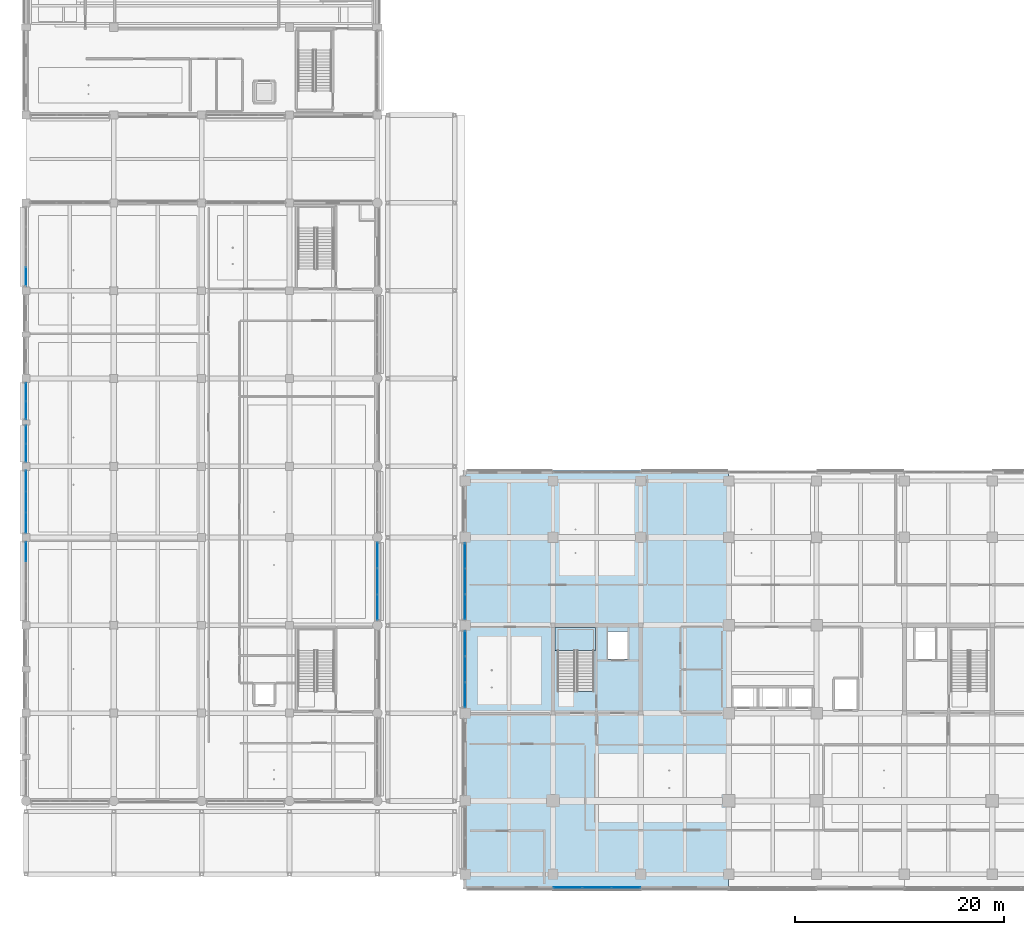
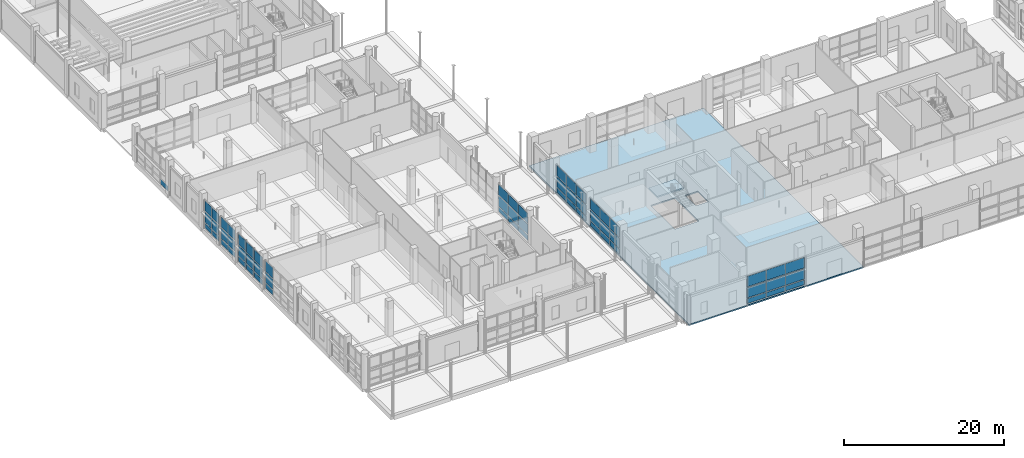
# One storey, part 46 of 140: 61 plates, 2 slabs, 10 elements without a shape of their own.
"""IFC4 building model written with IfcOpenShell, lengths in metres."""

from ifc_helpers import new_model, si_unit, direction, frame, origin, origin_2d, place, context, subcontext, project, spatial, polyline, rectangle, outline, extrude, material, layer, layer_set, type_object, element, aggregate, save


model = new_model("IFC4")

# Units and contexts
model_context = context("Model", 3, precision=1e-05, world=origin(), true_north=direction((0.0, 1.0)))
body_context = subcontext(model_context, "Body", "Model", "MODEL_VIEW")
ifc_project = project(units=[si_unit("LENGTHUNIT", "METRE"), si_unit("AREAUNIT", "SQUARE_METRE"), si_unit("VOLUMEUNIT", "CUBIC_METRE"), si_unit("PLANEANGLEUNIT", "RADIAN"), si_unit("MASSUNIT", "GRAM", prefix="KILO")], contexts=[model_context])

# Site, building, storey
site_placement = place(None, origin())
site = spatial("IfcSite", under=ifc_project, at=site_placement, CompositionType="ELEMENT")
building_placement = place(site_placement, origin())
building = spatial("IfcBuilding", under=site, at=building_placement, Name="Telukmera Botanical Conservatory", CompositionType="ELEMENT")
storey_placement = place(building_placement, origin())
storey = spatial("IfcBuildingStorey", under=building, at=storey_placement, Name="L00", CompositionType="ELEMENT", Elevation=0.0)

# Stair, slab
ifc_material_1 = material(Name="Concrete C40/50", Category="concrete")
stair_type = type_object("IfcStairType", Name="ST-ESC-5400", PredefinedType="HALF_TURN_STAIR", material=ifc_material_1)
stair_placement = place(storey_placement, origin())
stair = element("IfcStair", 1, at=stair_placement, inside=storey, type_object=stair_type, Name="L00 Protected Escape Stair ST1", PredefinedType="HALF_TURN_STAIR")
ifc_layer_1 = layer(ifc_material_1, 0.199951171875)
ifc_layer_set_1 = layer_set([ifc_layer_1], Name="Concrete C40/50")
slab_type_1 = type_object("IfcSlabType", Name="SL-LAND-200", PredefinedType="LANDING", material=ifc_layer_set_1)
slab_1_placement = place(storey_placement, frame((0.0, 0.0, 2.5)))
slab_1 = element("IfcSlab", 2, at=slab_1_placement, type_object=slab_type_1, Name="ST1 landing 1", PredefinedType="LANDING", context=body_context, shape_type="SweptSolid", body=[
    extrude(outline(polyline([(59.0048828125, 32.010009765625), (62.844970703125, 32.010009765625), (62.844970703125, 34.195068359375), (59.0048828125, 34.195068359375), (59.0048828125, 32.010009765625)])), origin(), (0.0, 0.0, 1.0), 0.199951171875),
])
aggregate(stair, [slab_1])

# Slab
ifc_layer_2 = layer(ifc_material_1, 0.199951171875)
ifc_layer_set_2 = layer_set([ifc_layer_2], Name="Concrete C40/50")
slab_type_2 = type_object("IfcSlabType", Name="Slab_FS20", PredefinedType="FLOOR", material=ifc_layer_set_2)
slab_2_placement = place(storey_placement, frame((0.0, 0.0, -0.199951171875)))
element("IfcSlab", 3, at=slab_2_placement, inside=storey, type_object=slab_type_2, Name="Tower Floor Slab L00 (WEST)", PredefinedType="FLOOR", context=body_context, shape_type="SweptSolid", body=[
    extrude(outline(polyline([(50.39990234375, 9.199951171875), (75.60009765625, 9.199951171875), (75.60009765625, 49.199951171875), (50.39990234375, 49.199951171875), (50.39990234375, 9.199951171875)]), holes=[polyline([(62.72998046875, 28.093017578125), (62.72998046875, 34.050048828125), (59.25, 34.050048828125), (59.25, 28.093017578125), (62.72998046875, 28.093017578125)]), polyline([(64.080078125, 31.179931640625), (65.919921875, 31.179931640625), (65.919921875, 33.820068359375), (64.080078125, 33.820068359375), (64.080078125, 31.179931640625)])]), origin(), (0.0, 0.0, 1.0), 0.199951171875),
])

# Curtain wall, plates
ifc_material_2 = material(Name="Anodised aluminium 6063-T6", Category="aluminium")
ifc_layer_3 = layer(ifc_material_2, 0.179931640625)
ifc_layer_set_3 = layer_set([ifc_layer_3], Name="Anodised aluminium 6063-T6")
curtain_wall_type_1 = type_object("IfcCurtainWallType", Name="Visitor Colonnade Ground Curtain Wall 2400 Mod", PredefinedType="USERDEFINED", material=ifc_layer_set_3)
curtain_wall_1_placement = place(storey_placement, origin())
curtain_wall_1 = element("IfcCurtainWall", 4, at=curtain_wall_1_placement, inside=storey, type_object=curtain_wall_type_1, Name="Unitised Curtain Wall CW07 V3:L00:E3", ObjectType="UNITISED CURTAIN WALL", PredefinedType="USERDEFINED")
ifc_material_3 = material(Name="Spectrally selective low-E double glazing", Category="glass")
ifc_layer_4 = layer(ifc_material_3, 0.0380859375)
ifc_layer_set_4 = layer_set([ifc_layer_4], Name="Spectrally selective low-E double glazing")
plate_type_1 = type_object("IfcPlateType", Name="Solar Control Fritted Spandrel Glazing Panel 38", PredefinedType="CURTAIN_PANEL", material=ifc_layer_set_4)
plate_1_placement = place(storey_placement, frame((42.0, 36.118896484375, 0.14990234375), z_axis=(0.0, 0.0, 1.0), x_axis=(0.0, 1.0, 0.0)))
plate_1 = element("IfcPlate", 5, at=plate_1_placement, type_object=plate_type_1, Name="CW07 panel 1.1", PredefinedType="CURTAIN_PANEL", context=body_context, shape_type="SweptSolid", body=[
    extrude(rectangle(XDim=2.3935546875, YDim=0.0380859375, at=origin_2d()), origin(), (0.0, 0.0, 1.0), 0.72509765625),
])
plate_2_placement = place(storey_placement, frame((42.0, 36.118896484375, 1.02490234375), z_axis=(0.0, 0.0, 1.0), x_axis=(0.0, 1.0, 0.0)))
plate_2 = element("IfcPlate", 6, at=plate_2_placement, type_object=plate_type_1, Name="CW07 panel 1.2", PredefinedType="CURTAIN_PANEL", context=body_context, shape_type="SweptSolid", body=[
    extrude(rectangle(XDim=2.3935546875, YDim=0.0380859375, at=origin_2d()), origin(), (0.0, 0.0, 1.0), 1.550048828125),
])
plate_3_placement = place(storey_placement, frame((42.0, 36.118896484375, 2.72509765625), z_axis=(0.0, 0.0, 1.0), x_axis=(0.0, 1.0, 0.0)))
plate_3 = element("IfcPlate", 7, at=plate_3_placement, type_object=plate_type_1, Name="CW07 panel 1.3", PredefinedType="CURTAIN_PANEL", context=body_context, shape_type="SweptSolid", body=[
    extrude(rectangle(XDim=2.3935546875, YDim=0.0380859375, at=origin_2d()), origin(), (0.0, 0.0, 1.0), 1.574951171875),
])
plate_4_placement = place(storey_placement, frame((42.0, 38.60009765625, 0.14990234375), z_axis=(0.0, 0.0, 1.0), x_axis=(0.0, 1.0, 0.0)))
plate_4 = element("IfcPlate", 8, at=plate_4_placement, type_object=plate_type_1, Name="CW07 panel 2.1", PredefinedType="CURTAIN_PANEL", context=body_context, shape_type="SweptSolid", body=[
    extrude(rectangle(XDim=2.4287109375, YDim=0.0380859375, at=origin_2d()), origin(), (0.0, 0.0, 1.0), 0.72509765625),
])
plate_5_placement = place(storey_placement, frame((42.0, 38.60009765625, 1.02490234375), z_axis=(0.0, 0.0, 1.0), x_axis=(0.0, 1.0, 0.0)))
plate_5 = element("IfcPlate", 9, at=plate_5_placement, type_object=plate_type_1, Name="CW07 panel 2.2", PredefinedType="CURTAIN_PANEL", context=body_context, shape_type="SweptSolid", body=[
    extrude(rectangle(XDim=2.4287109375, YDim=0.0380859375, at=origin_2d()), origin(), (0.0, 0.0, 1.0), 1.550048828125),
])
plate_6_placement = place(storey_placement, frame((42.0, 38.60009765625, 2.72509765625), z_axis=(0.0, 0.0, 1.0), x_axis=(0.0, 1.0, 0.0)))
plate_6 = element("IfcPlate", 10, at=plate_6_placement, type_object=plate_type_1, Name="CW07 panel 2.3", PredefinedType="CURTAIN_PANEL", context=body_context, shape_type="SweptSolid", body=[
    extrude(rectangle(XDim=2.4287109375, YDim=0.0380859375, at=origin_2d()), origin(), (0.0, 0.0, 1.0), 1.574951171875),
])
plate_7_placement = place(storey_placement, frame((42.0, 41.0810546875, 0.14990234375), z_axis=(0.0, 0.0, 1.0), x_axis=(0.0, 1.0, 0.0)))
plate_7 = element("IfcPlate", 11, at=plate_7_placement, type_object=plate_type_1, Name="CW07 panel 3.1", PredefinedType="CURTAIN_PANEL", context=body_context, shape_type="SweptSolid", body=[
    extrude(rectangle(XDim=2.3935546875, YDim=0.0380859375, at=origin_2d()), origin(), (0.0, 0.0, 1.0), 0.72509765625),
])
plate_8_placement = place(storey_placement, frame((42.0, 41.0810546875, 1.02490234375), z_axis=(0.0, 0.0, 1.0), x_axis=(0.0, 1.0, 0.0)))
plate_8 = element("IfcPlate", 12, at=plate_8_placement, type_object=plate_type_1, Name="CW07 panel 3.2", PredefinedType="CURTAIN_PANEL", context=body_context, shape_type="SweptSolid", body=[
    extrude(rectangle(XDim=2.3935546875, YDim=0.0380859375, at=origin_2d()), origin(), (0.0, 0.0, 1.0), 1.550048828125),
])
plate_9_placement = place(storey_placement, frame((42.0, 41.0810546875, 2.72509765625), z_axis=(0.0, 0.0, 1.0), x_axis=(0.0, 1.0, 0.0)))
plate_9 = element("IfcPlate", 13, at=plate_9_placement, type_object=plate_type_1, Name="CW07 panel 3.3", PredefinedType="CURTAIN_PANEL", context=body_context, shape_type="SweptSolid", body=[
    extrude(rectangle(XDim=2.3935546875, YDim=0.0380859375, at=origin_2d()), origin(), (0.0, 0.0, 1.0), 1.574951171875),
])
aggregate(curtain_wall_1, [plate_1, plate_2, plate_3, plate_4, plate_5, plate_6, plate_7, plate_8, plate_9])

ifc_layer_5 = layer(ifc_material_2, 0.179931640625)
ifc_layer_set_5 = layer_set([ifc_layer_5], Name="Anodised aluminium 6063-T6")
curtain_wall_type_2 = type_object("IfcCurtainWallType", Name="Tower Boulevard Podium Hall Curtain Wall", PredefinedType="USERDEFINED", material=ifc_layer_set_5)
curtain_wall_2_placement = place(storey_placement, origin())
curtain_wall_2 = element("IfcCurtainWall", 14, at=curtain_wall_2_placement, inside=storey, type_object=curtain_wall_type_2, Name="Unitised Curtain Wall CW12 V4:L00:S2", ObjectType="UNITISED CURTAIN WALL", PredefinedType="USERDEFINED")
plate_10_placement = place(storey_placement, frame((60.21875, 9.320068359375, 0.14990234375), z_axis=(0.0, 0.0, 1.0), x_axis=(1.0, 0.0, 0.0)))
plate_10 = element("IfcPlate", 15, at=plate_10_placement, type_object=plate_type_1, Name="CW12 panel 1.1", PredefinedType="CURTAIN_PANEL", context=body_context, shape_type="SweptSolid", body=[
    extrude(rectangle(XDim=2.693603515625, YDim=0.0380859375, at=origin_2d()), origin(), (0.0, 0.0, 1.0), 0.72509765625),
])
plate_11_placement = place(storey_placement, frame((60.21875, 9.320068359375, 1.02490234375), z_axis=(0.0, 0.0, 1.0), x_axis=(1.0, 0.0, 0.0)))
plate_11 = element("IfcPlate", 16, at=plate_11_placement, type_object=plate_type_1, Name="CW12 panel 1.2", PredefinedType="CURTAIN_PANEL", context=body_context, shape_type="SweptSolid", body=[
    extrude(rectangle(XDim=2.693603515625, YDim=0.0380859375, at=origin_2d()), origin(), (0.0, 0.0, 1.0), 1.550048828125),
])
plate_12_placement = place(storey_placement, frame((60.21875, 9.320068359375, 2.72509765625), z_axis=(0.0, 0.0, 1.0), x_axis=(1.0, 0.0, 0.0)))
plate_12 = element("IfcPlate", 17, at=plate_12_placement, type_object=plate_type_1, Name="CW12 panel 1.3", PredefinedType="CURTAIN_PANEL", context=body_context, shape_type="SweptSolid", body=[
    extrude(rectangle(XDim=2.693603515625, YDim=0.0380859375, at=origin_2d()), origin(), (0.0, 0.0, 1.0), 1.574951171875),
])
plate_13_placement = place(storey_placement, frame((63.0, 9.320068359375, 0.14990234375), z_axis=(0.0, 0.0, 1.0), x_axis=(1.0, 0.0, 0.0)))
plate_13 = element("IfcPlate", 18, at=plate_13_placement, type_object=plate_type_1, Name="CW12 panel 2.1", PredefinedType="CURTAIN_PANEL", context=body_context, shape_type="SweptSolid", body=[
    extrude(rectangle(XDim=2.728759765625, YDim=0.0380859375, at=origin_2d()), origin(), (0.0, 0.0, 1.0), 0.72509765625),
])
plate_14_placement = place(storey_placement, frame((63.0, 9.320068359375, 1.02490234375), z_axis=(0.0, 0.0, 1.0), x_axis=(1.0, 0.0, 0.0)))
plate_14 = element("IfcPlate", 19, at=plate_14_placement, type_object=plate_type_1, Name="CW12 panel 2.2", PredefinedType="CURTAIN_PANEL", context=body_context, shape_type="SweptSolid", body=[
    extrude(rectangle(XDim=2.728759765625, YDim=0.0380859375, at=origin_2d()), origin(), (0.0, 0.0, 1.0), 1.550048828125),
])
plate_15_placement = place(storey_placement, frame((63.0, 9.320068359375, 2.72509765625), z_axis=(0.0, 0.0, 1.0), x_axis=(1.0, 0.0, 0.0)))
plate_15 = element("IfcPlate", 20, at=plate_15_placement, type_object=plate_type_1, Name="CW12 panel 2.3", PredefinedType="CURTAIN_PANEL", context=body_context, shape_type="SweptSolid", body=[
    extrude(rectangle(XDim=2.728759765625, YDim=0.0380859375, at=origin_2d()), origin(), (0.0, 0.0, 1.0), 1.574951171875),
])
plate_16_placement = place(storey_placement, frame((65.78125, 9.320068359375, 0.14990234375), z_axis=(0.0, 0.0, 1.0), x_axis=(1.0, 0.0, 0.0)))
plate_16 = element("IfcPlate", 21, at=plate_16_placement, type_object=plate_type_1, Name="CW12 panel 3.1", PredefinedType="CURTAIN_PANEL", context=body_context, shape_type="SweptSolid", body=[
    extrude(rectangle(XDim=2.693603515625, YDim=0.0380859375, at=origin_2d()), origin(), (0.0, 0.0, 1.0), 0.72509765625),
])
plate_17_placement = place(storey_placement, frame((65.78125, 9.320068359375, 1.02490234375), z_axis=(0.0, 0.0, 1.0), x_axis=(1.0, 0.0, 0.0)))
plate_17 = element("IfcPlate", 22, at=plate_17_placement, type_object=plate_type_1, Name="CW12 panel 3.2", PredefinedType="CURTAIN_PANEL", context=body_context, shape_type="SweptSolid", body=[
    extrude(rectangle(XDim=2.693603515625, YDim=0.0380859375, at=origin_2d()), origin(), (0.0, 0.0, 1.0), 1.550048828125),
])
plate_18_placement = place(storey_placement, frame((65.78125, 9.320068359375, 2.72509765625), z_axis=(0.0, 0.0, 1.0), x_axis=(1.0, 0.0, 0.0)))
plate_18 = element("IfcPlate", 23, at=plate_18_placement, type_object=plate_type_1, Name="CW12 panel 3.3", PredefinedType="CURTAIN_PANEL", context=body_context, shape_type="SweptSolid", body=[
    extrude(rectangle(XDim=2.693603515625, YDim=0.0380859375, at=origin_2d()), origin(), (0.0, 0.0, 1.0), 1.574951171875),
])
aggregate(curtain_wall_2, [plate_10, plate_11, plate_12, plate_13, plate_14, plate_15, plate_16, plate_17, plate_18])

curtain_wall_3_placement = place(storey_placement, origin())
curtain_wall_3 = element("IfcCurtainWall", 24, at=curtain_wall_3_placement, inside=storey, type_object=curtain_wall_type_2, Name="Unitised Curtain Wall CW12 V4:L00:W3", ObjectType="UNITISED CURTAIN WALL", PredefinedType="USERDEFINED")
plate_19_placement = place(storey_placement, frame((50.39990234375, 27.752197265625, 0.14990234375), z_axis=(0.0, 0.0, 1.0), x_axis=(0.0, 1.0, 0.0)))
plate_19 = element("IfcPlate", 25, at=plate_19_placement, type_object=plate_type_1, Name="CW12 panel 1.1", PredefinedType="CURTAIN_PANEL", context=body_context, shape_type="SweptSolid", body=[
    extrude(rectangle(XDim=2.3603515625, YDim=0.0380859375, at=origin_2d()), origin(), (0.0, 0.0, 1.0), 0.72509765625),
])
plate_20_placement = place(storey_placement, frame((50.39990234375, 27.752197265625, 1.02490234375), z_axis=(0.0, 0.0, 1.0), x_axis=(0.0, 1.0, 0.0)))
plate_20 = element("IfcPlate", 26, at=plate_20_placement, type_object=plate_type_1, Name="CW12 panel 1.2", PredefinedType="CURTAIN_PANEL", context=body_context, shape_type="SweptSolid", body=[
    extrude(rectangle(XDim=2.3603515625, YDim=0.0380859375, at=origin_2d()), origin(), (0.0, 0.0, 1.0), 1.550048828125),
])
plate_21_placement = place(storey_placement, frame((50.39990234375, 27.752197265625, 2.72509765625), z_axis=(0.0, 0.0, 1.0), x_axis=(0.0, 1.0, 0.0)))
plate_21 = element("IfcPlate", 27, at=plate_21_placement, type_object=plate_type_1, Name="CW12 panel 1.3", PredefinedType="CURTAIN_PANEL", context=body_context, shape_type="SweptSolid", body=[
    extrude(rectangle(XDim=2.3603515625, YDim=0.0380859375, at=origin_2d()), origin(), (0.0, 0.0, 1.0), 1.574951171875),
])
plate_22_placement = place(storey_placement, frame((50.39990234375, 30.199951171875, 0.14990234375), z_axis=(0.0, 0.0, 1.0), x_axis=(0.0, 1.0, 0.0)))
plate_22 = element("IfcPlate", 28, at=plate_22_placement, type_object=plate_type_1, Name="CW12 panel 2.1", PredefinedType="CURTAIN_PANEL", context=body_context, shape_type="SweptSolid", body=[
    extrude(rectangle(XDim=2.395263671875, YDim=0.0380859375, at=origin_2d()), origin(), (0.0, 0.0, 1.0), 0.72509765625),
])
plate_23_placement = place(storey_placement, frame((50.39990234375, 30.199951171875, 1.02490234375), z_axis=(0.0, 0.0, 1.0), x_axis=(0.0, 1.0, 0.0)))
plate_23 = element("IfcPlate", 29, at=plate_23_placement, type_object=plate_type_1, Name="CW12 panel 2.2", PredefinedType="CURTAIN_PANEL", context=body_context, shape_type="SweptSolid", body=[
    extrude(rectangle(XDim=2.395263671875, YDim=0.0380859375, at=origin_2d()), origin(), (0.0, 0.0, 1.0), 1.550048828125),
])
plate_24_placement = place(storey_placement, frame((50.39990234375, 30.199951171875, 2.72509765625), z_axis=(0.0, 0.0, 1.0), x_axis=(0.0, 1.0, 0.0)))
plate_24 = element("IfcPlate", 30, at=plate_24_placement, type_object=plate_type_1, Name="CW12 panel 2.3", PredefinedType="CURTAIN_PANEL", context=body_context, shape_type="SweptSolid", body=[
    extrude(rectangle(XDim=2.395263671875, YDim=0.0380859375, at=origin_2d()), origin(), (0.0, 0.0, 1.0), 1.574951171875),
])
plate_25_placement = place(storey_placement, frame((50.39990234375, 32.64794921875, 0.14990234375), z_axis=(0.0, 0.0, 1.0), x_axis=(0.0, 1.0, 0.0)))
plate_25 = element("IfcPlate", 31, at=plate_25_placement, type_object=plate_type_1, Name="CW12 panel 3.1", PredefinedType="CURTAIN_PANEL", context=body_context, shape_type="SweptSolid", body=[
    extrude(rectangle(XDim=2.3603515625, YDim=0.0380859375, at=origin_2d()), origin(), (0.0, 0.0, 1.0), 0.72509765625),
])
plate_26_placement = place(storey_placement, frame((50.39990234375, 32.64794921875, 1.02490234375), z_axis=(0.0, 0.0, 1.0), x_axis=(0.0, 1.0, 0.0)))
plate_26 = element("IfcPlate", 32, at=plate_26_placement, type_object=plate_type_1, Name="CW12 panel 3.2", PredefinedType="CURTAIN_PANEL", context=body_context, shape_type="SweptSolid", body=[
    extrude(rectangle(XDim=2.3603515625, YDim=0.0380859375, at=origin_2d()), origin(), (0.0, 0.0, 1.0), 1.550048828125),
])
plate_27_placement = place(storey_placement, frame((50.39990234375, 32.64794921875, 2.72509765625), z_axis=(0.0, 0.0, 1.0), x_axis=(0.0, 1.0, 0.0)))
plate_27 = element("IfcPlate", 33, at=plate_27_placement, type_object=plate_type_1, Name="CW12 panel 3.3", PredefinedType="CURTAIN_PANEL", context=body_context, shape_type="SweptSolid", body=[
    extrude(rectangle(XDim=2.3603515625, YDim=0.0380859375, at=origin_2d()), origin(), (0.0, 0.0, 1.0), 1.574951171875),
])
aggregate(curtain_wall_3, [plate_19, plate_20, plate_21, plate_22, plate_23, plate_24, plate_25, plate_26, plate_27])

curtain_wall_4_placement = place(storey_placement, origin())
curtain_wall_4 = element("IfcCurtainWall", 34, at=curtain_wall_4_placement, inside=storey, type_object=curtain_wall_type_2, Name="Unitised Curtain Wall CW12 V4:L00:W4", ObjectType="UNITISED CURTAIN WALL", PredefinedType="USERDEFINED")
plate_28_placement = place(storey_placement, frame((50.39990234375, 36.152099609375, 0.14990234375), z_axis=(0.0, 0.0, 1.0), x_axis=(0.0, 1.0, 0.0)))
plate_28 = element("IfcPlate", 35, at=plate_28_placement, type_object=plate_type_1, Name="CW12 panel 1.1", PredefinedType="CURTAIN_PANEL", context=body_context, shape_type="SweptSolid", body=[
    extrude(rectangle(XDim=2.3603515625, YDim=0.0380859375, at=origin_2d()), origin(), (0.0, 0.0, 1.0), 0.72509765625),
])
plate_29_placement = place(storey_placement, frame((50.39990234375, 36.152099609375, 1.02490234375), z_axis=(0.0, 0.0, 1.0), x_axis=(0.0, 1.0, 0.0)))
plate_29 = element("IfcPlate", 36, at=plate_29_placement, type_object=plate_type_1, Name="CW12 panel 1.2", PredefinedType="CURTAIN_PANEL", context=body_context, shape_type="SweptSolid", body=[
    extrude(rectangle(XDim=2.3603515625, YDim=0.0380859375, at=origin_2d()), origin(), (0.0, 0.0, 1.0), 1.550048828125),
])
plate_30_placement = place(storey_placement, frame((50.39990234375, 36.152099609375, 2.72509765625), z_axis=(0.0, 0.0, 1.0), x_axis=(0.0, 1.0, 0.0)))
plate_30 = element("IfcPlate", 37, at=plate_30_placement, type_object=plate_type_1, Name="CW12 panel 1.3", PredefinedType="CURTAIN_PANEL", context=body_context, shape_type="SweptSolid", body=[
    extrude(rectangle(XDim=2.3603515625, YDim=0.0380859375, at=origin_2d()), origin(), (0.0, 0.0, 1.0), 1.574951171875),
])
plate_31_placement = place(storey_placement, frame((50.39990234375, 38.60009765625, 0.14990234375), z_axis=(0.0, 0.0, 1.0), x_axis=(0.0, 1.0, 0.0)))
plate_31 = element("IfcPlate", 38, at=plate_31_placement, type_object=plate_type_1, Name="CW12 panel 2.1", PredefinedType="CURTAIN_PANEL", context=body_context, shape_type="SweptSolid", body=[
    extrude(rectangle(XDim=2.395263671875, YDim=0.0380859375, at=origin_2d()), origin(), (0.0, 0.0, 1.0), 0.72509765625),
])
plate_32_placement = place(storey_placement, frame((50.39990234375, 38.60009765625, 1.02490234375), z_axis=(0.0, 0.0, 1.0), x_axis=(0.0, 1.0, 0.0)))
plate_32 = element("IfcPlate", 39, at=plate_32_placement, type_object=plate_type_1, Name="CW12 panel 2.2", PredefinedType="CURTAIN_PANEL", context=body_context, shape_type="SweptSolid", body=[
    extrude(rectangle(XDim=2.395263671875, YDim=0.0380859375, at=origin_2d()), origin(), (0.0, 0.0, 1.0), 1.550048828125),
])
plate_33_placement = place(storey_placement, frame((50.39990234375, 38.60009765625, 2.72509765625), z_axis=(0.0, 0.0, 1.0), x_axis=(0.0, 1.0, 0.0)))
plate_33 = element("IfcPlate", 40, at=plate_33_placement, type_object=plate_type_1, Name="CW12 panel 2.3", PredefinedType="CURTAIN_PANEL", context=body_context, shape_type="SweptSolid", body=[
    extrude(rectangle(XDim=2.395263671875, YDim=0.0380859375, at=origin_2d()), origin(), (0.0, 0.0, 1.0), 1.574951171875),
])
plate_34_placement = place(storey_placement, frame((50.39990234375, 41.0478515625, 0.14990234375), z_axis=(0.0, 0.0, 1.0), x_axis=(0.0, 1.0, 0.0)))
plate_34 = element("IfcPlate", 41, at=plate_34_placement, type_object=plate_type_1, Name="CW12 panel 3.1", PredefinedType="CURTAIN_PANEL", context=body_context, shape_type="SweptSolid", body=[
    extrude(rectangle(XDim=2.3603515625, YDim=0.0380859375, at=origin_2d()), origin(), (0.0, 0.0, 1.0), 0.72509765625),
])
plate_35_placement = place(storey_placement, frame((50.39990234375, 41.0478515625, 1.02490234375), z_axis=(0.0, 0.0, 1.0), x_axis=(0.0, 1.0, 0.0)))
plate_35 = element("IfcPlate", 42, at=plate_35_placement, type_object=plate_type_1, Name="CW12 panel 3.2", PredefinedType="CURTAIN_PANEL", context=body_context, shape_type="SweptSolid", body=[
    extrude(rectangle(XDim=2.3603515625, YDim=0.0380859375, at=origin_2d()), origin(), (0.0, 0.0, 1.0), 1.550048828125),
])
plate_36_placement = place(storey_placement, frame((50.39990234375, 41.0478515625, 2.72509765625), z_axis=(0.0, 0.0, 1.0), x_axis=(0.0, 1.0, 0.0)))
plate_36 = element("IfcPlate", 43, at=plate_36_placement, type_object=plate_type_1, Name="CW12 panel 3.3", PredefinedType="CURTAIN_PANEL", context=body_context, shape_type="SweptSolid", body=[
    extrude(rectangle(XDim=2.3603515625, YDim=0.0380859375, at=origin_2d()), origin(), (0.0, 0.0, 1.0), 1.574951171875),
])
aggregate(curtain_wall_4, [plate_28, plate_29, plate_30, plate_31, plate_32, plate_33, plate_34, plate_35, plate_36])

ifc_layer_6 = layer(ifc_material_2, 0.179931640625)
ifc_layer_set_6 = layer_set([ifc_layer_6], Name="Anodised aluminium 6063-T6")
curtain_wall_type_3 = type_object("IfcCurtainWallType", Name="Visitor Colonnade Ground Curtain Wall 1800 Mod", PredefinedType="USERDEFINED", material=ifc_layer_set_6)
curtain_wall_5_placement = place(storey_placement, origin())
curtain_wall_5 = element("IfcCurtainWall", 44, at=curtain_wall_5_placement, inside=storey, type_object=curtain_wall_type_3, Name="Unitised Curtain Wall CW06 V3:L00:W3", ObjectType="UNITISED CURTAIN WALL", PredefinedType="USERDEFINED")
ifc_layer_7 = layer(ifc_material_3, 0.028076171875)
ifc_layer_set_7 = layer_set([ifc_layer_7], Name="Spectrally selective low-E double glazing")
plate_type_2 = type_object("IfcPlateType", Name="Spectrally Selective Vision Double Glazing Panel 28", PredefinedType="CURTAIN_PANEL", material=ifc_layer_set_7)
plate_37_placement = place(storey_placement, frame((8.39990234375, 41.44970703125, 0.14990234375), z_axis=(0.0, 0.0, 1.0), x_axis=(0.0, 1.0, 0.0)))
plate_37 = element("IfcPlate", 45, at=plate_37_placement, type_object=plate_type_2, Name="CW06 panel 4.1", PredefinedType="CURTAIN_PANEL", context=body_context, shape_type="SweptSolid", body=[
    extrude(rectangle(XDim=1.806396484375, YDim=0.028076171875, at=origin_2d()), origin(), (0.0, 0.0, 1.0), 0.72509765625),
])
plate_38_placement = place(storey_placement, frame((8.39990234375, 41.44970703125, 1.02490234375), z_axis=(0.0, 0.0, 1.0), x_axis=(0.0, 1.0, 0.0)))
plate_38 = element("IfcPlate", 46, at=plate_38_placement, type_object=plate_type_2, Name="CW06 panel 4.2", PredefinedType="CURTAIN_PANEL", context=body_context, shape_type="SweptSolid", body=[
    extrude(rectangle(XDim=1.806396484375, YDim=0.028076171875, at=origin_2d()), origin(), (0.0, 0.0, 1.0), 1.550048828125),
])
plate_39_placement = place(storey_placement, frame((8.39990234375, 41.44970703125, 2.72509765625), z_axis=(0.0, 0.0, 1.0), x_axis=(0.0, 1.0, 0.0)))
plate_39 = element("IfcPlate", 47, at=plate_39_placement, type_object=plate_type_2, Name="CW06 panel 4.3", PredefinedType="CURTAIN_PANEL", context=body_context, shape_type="SweptSolid", body=[
    extrude(rectangle(XDim=1.806396484375, YDim=0.028076171875, at=origin_2d()), origin(), (0.0, 0.0, 1.0), 1.574951171875),
])
aggregate(curtain_wall_5, [plate_37, plate_38, plate_39])

ifc_layer_8 = layer(ifc_material_2, 0.179931640625)
ifc_layer_set_8 = layer_set([ifc_layer_8], Name="Anodised aluminium 6063-T6")
curtain_wall_type_4 = type_object("IfcCurtainWallType", Name="Visitor Courtyard Narrow Bay Curtain Wall", PredefinedType="USERDEFINED", material=ifc_layer_set_8)
curtain_wall_6_placement = place(storey_placement, origin())
curtain_wall_6 = element("IfcCurtainWall", 48, at=curtain_wall_6_placement, inside=storey, type_object=curtain_wall_type_4, Name="Unitised Curtain Wall CW10 V3:L00:W4", ObjectType="UNITISED CURTAIN WALL", PredefinedType="USERDEFINED")
plate_40_placement = place(storey_placement, frame((8.39990234375, 44.19970703125, 0.10986328125), z_axis=(0.0, 0.0, 1.0), x_axis=(0.0, 1.0, 0.0)))
plate_40 = element("IfcPlate", 49, at=plate_40_placement, type_object=plate_type_2, Name="CW10 panel 1.1", PredefinedType="CURTAIN_PANEL", context=body_context, shape_type="SweptSolid", body=[
    extrude(rectangle(XDim=1.92529296875, YDim=0.028076171875, at=origin_2d()), origin(), (0.0, 0.0, 1.0), 0.784912109375),
])
plate_41_placement = place(storey_placement, frame((8.39990234375, 44.19970703125, 1.0048828125), z_axis=(0.0, 0.0, 1.0), x_axis=(0.0, 1.0, 0.0)))
plate_41 = element("IfcPlate", 50, at=plate_41_placement, type_object=plate_type_2, Name="CW10 panel 1.2", PredefinedType="CURTAIN_PANEL", context=body_context, shape_type="SweptSolid", body=[
    extrude(rectangle(XDim=1.92529296875, YDim=0.028076171875, at=origin_2d()), origin(), (0.0, 0.0, 1.0), 1.590087890625),
])
plate_42_placement = place(storey_placement, frame((8.39990234375, 44.19970703125, 2.705078125), z_axis=(0.0, 0.0, 1.0), x_axis=(0.0, 1.0, 0.0)))
plate_42 = element("IfcPlate", 51, at=plate_42_placement, type_object=plate_type_2, Name="CW10 panel 1.3", PredefinedType="CURTAIN_PANEL", context=body_context, shape_type="SweptSolid", body=[
    extrude(rectangle(XDim=1.92529296875, YDim=0.028076171875, at=origin_2d()), origin(), (0.0, 0.0, 1.0), 1.635009765625),
])
plate_43_placement = place(storey_placement, frame((8.39990234375, 46.199951171875, 0.10986328125), z_axis=(0.0, 0.0, 1.0), x_axis=(0.0, 1.0, 0.0)))
plate_43 = element("IfcPlate", 52, at=plate_43_placement, type_object=plate_type_2, Name="CW10 panel 2.1", PredefinedType="CURTAIN_PANEL", context=body_context, shape_type="SweptSolid", body=[
    extrude(rectangle(XDim=1.955322265625, YDim=0.028076171875, at=origin_2d()), origin(), (0.0, 0.0, 1.0), 0.784912109375),
])
plate_44_placement = place(storey_placement, frame((8.39990234375, 46.199951171875, 1.0048828125), z_axis=(0.0, 0.0, 1.0), x_axis=(0.0, 1.0, 0.0)))
plate_44 = element("IfcPlate", 53, at=plate_44_placement, type_object=plate_type_2, Name="CW10 panel 2.2", PredefinedType="CURTAIN_PANEL", context=body_context, shape_type="SweptSolid", body=[
    extrude(rectangle(XDim=1.955322265625, YDim=0.028076171875, at=origin_2d()), origin(), (0.0, 0.0, 1.0), 1.590087890625),
])
plate_45_placement = place(storey_placement, frame((8.39990234375, 46.199951171875, 2.705078125), z_axis=(0.0, 0.0, 1.0), x_axis=(0.0, 1.0, 0.0)))
plate_45 = element("IfcPlate", 54, at=plate_45_placement, type_object=plate_type_2, Name="CW10 panel 2.3", PredefinedType="CURTAIN_PANEL", context=body_context, shape_type="SweptSolid", body=[
    extrude(rectangle(XDim=1.955322265625, YDim=0.028076171875, at=origin_2d()), origin(), (0.0, 0.0, 1.0), 1.635009765625),
])
plate_46_placement = place(storey_placement, frame((8.39990234375, 48.200439453125, 0.10986328125), z_axis=(0.0, 0.0, 1.0), x_axis=(0.0, 1.0, 0.0)))
plate_46 = element("IfcPlate", 55, at=plate_46_placement, type_object=plate_type_2, Name="CW10 panel 3.1", PredefinedType="CURTAIN_PANEL", context=body_context, shape_type="SweptSolid", body=[
    extrude(rectangle(XDim=1.92529296875, YDim=0.028076171875, at=origin_2d()), origin(), (0.0, 0.0, 1.0), 0.784912109375),
])
plate_47_placement = place(storey_placement, frame((8.39990234375, 48.200439453125, 1.0048828125), z_axis=(0.0, 0.0, 1.0), x_axis=(0.0, 1.0, 0.0)))
plate_47 = element("IfcPlate", 56, at=plate_47_placement, type_object=plate_type_2, Name="CW10 panel 3.2", PredefinedType="CURTAIN_PANEL", context=body_context, shape_type="SweptSolid", body=[
    extrude(rectangle(XDim=1.92529296875, YDim=0.028076171875, at=origin_2d()), origin(), (0.0, 0.0, 1.0), 1.590087890625),
])
plate_48_placement = place(storey_placement, frame((8.39990234375, 48.200439453125, 2.705078125), z_axis=(0.0, 0.0, 1.0), x_axis=(0.0, 1.0, 0.0)))
plate_48 = element("IfcPlate", 57, at=plate_48_placement, type_object=plate_type_2, Name="CW10 panel 3.3", PredefinedType="CURTAIN_PANEL", context=body_context, shape_type="SweptSolid", body=[
    extrude(rectangle(XDim=1.92529296875, YDim=0.028076171875, at=origin_2d()), origin(), (0.0, 0.0, 1.0), 1.635009765625),
])
aggregate(curtain_wall_6, [plate_40, plate_41, plate_42, plate_43, plate_44, plate_45, plate_46, plate_47, plate_48])

curtain_wall_7_placement = place(storey_placement, origin())
curtain_wall_7 = element("IfcCurtainWall", 58, at=curtain_wall_7_placement, inside=storey, type_object=curtain_wall_type_3, Name="Unitised Curtain Wall CW06 V3:L00:W5A", ObjectType="UNITISED CURTAIN WALL", PredefinedType="USERDEFINED")
plate_49_placement = place(storey_placement, frame((8.39990234375, 50.88720703125, 0.14990234375), z_axis=(0.0, 0.0, 1.0), x_axis=(0.0, 1.0, 0.0)))
plate_49 = element("IfcPlate", 59, at=plate_49_placement, type_object=plate_type_2, Name="CW06 panel 1.1", PredefinedType="CURTAIN_PANEL", context=body_context, shape_type="SweptSolid", body=[
    extrude(rectangle(XDim=1.680419921875, YDim=0.028076171875, at=origin_2d()), origin(), (0.0, 0.0, 1.0), 0.72509765625),
])
plate_50_placement = place(storey_placement, frame((8.39990234375, 50.88720703125, 1.02490234375), z_axis=(0.0, 0.0, 1.0), x_axis=(0.0, 1.0, 0.0)))
plate_50 = element("IfcPlate", 60, at=plate_50_placement, type_object=plate_type_2, Name="CW06 panel 1.2", PredefinedType="CURTAIN_PANEL", context=body_context, shape_type="SweptSolid", body=[
    extrude(rectangle(XDim=1.680419921875, YDim=0.028076171875, at=origin_2d()), origin(), (0.0, 0.0, 1.0), 1.550048828125),
])
plate_51_placement = place(storey_placement, frame((8.39990234375, 50.88720703125, 2.72509765625), z_axis=(0.0, 0.0, 1.0), x_axis=(0.0, 1.0, 0.0)))
plate_51 = element("IfcPlate", 61, at=plate_51_placement, type_object=plate_type_2, Name="CW06 panel 1.3", PredefinedType="CURTAIN_PANEL", context=body_context, shape_type="SweptSolid", body=[
    extrude(rectangle(XDim=1.680419921875, YDim=0.028076171875, at=origin_2d()), origin(), (0.0, 0.0, 1.0), 1.574951171875),
])
plate_52_placement = place(storey_placement, frame((8.39990234375, 52.6376953125, 0.14990234375), z_axis=(0.0, 0.0, 1.0), x_axis=(0.0, 1.0, 0.0)))
plate_52 = element("IfcPlate", 62, at=plate_52_placement, type_object=plate_type_2, Name="CW06 panel 2.1", PredefinedType="CURTAIN_PANEL", context=body_context, shape_type="SweptSolid", body=[
    extrude(rectangle(XDim=1.680419921875, YDim=0.028076171875, at=origin_2d()), origin(), (0.0, 0.0, 1.0), 0.72509765625),
])
plate_53_placement = place(storey_placement, frame((8.39990234375, 52.6376953125, 1.02490234375), z_axis=(0.0, 0.0, 1.0), x_axis=(0.0, 1.0, 0.0)))
plate_53 = element("IfcPlate", 63, at=plate_53_placement, type_object=plate_type_2, Name="CW06 panel 2.2", PredefinedType="CURTAIN_PANEL", context=body_context, shape_type="SweptSolid", body=[
    extrude(rectangle(XDim=1.680419921875, YDim=0.028076171875, at=origin_2d()), origin(), (0.0, 0.0, 1.0), 1.550048828125),
])
plate_54_placement = place(storey_placement, frame((8.39990234375, 52.6376953125, 2.72509765625), z_axis=(0.0, 0.0, 1.0), x_axis=(0.0, 1.0, 0.0)))
plate_54 = element("IfcPlate", 64, at=plate_54_placement, type_object=plate_type_2, Name="CW06 panel 2.3", PredefinedType="CURTAIN_PANEL", context=body_context, shape_type="SweptSolid", body=[
    extrude(rectangle(XDim=1.680419921875, YDim=0.028076171875, at=origin_2d()), origin(), (0.0, 0.0, 1.0), 1.574951171875),
])
aggregate(curtain_wall_7, [plate_49, plate_50, plate_51, plate_52, plate_53, plate_54])

curtain_wall_8_placement = place(storey_placement, origin())
curtain_wall_8 = element("IfcCurtainWall", 65, at=curtain_wall_8_placement, inside=storey, type_object=curtain_wall_type_3, Name="Unitised Curtain Wall CW06 V3:L00:W5B", ObjectType="UNITISED CURTAIN WALL", PredefinedType="USERDEFINED")
plate_55_placement = place(storey_placement, frame((8.39990234375, 54.962158203125, 0.14990234375), z_axis=(0.0, 0.0, 1.0), x_axis=(0.0, 1.0, 0.0)))
plate_55 = element("IfcPlate", 66, at=plate_55_placement, type_object=plate_type_2, Name="CW06 panel 1.1", PredefinedType="CURTAIN_PANEL", context=body_context, shape_type="SweptSolid", body=[
    extrude(rectangle(XDim=1.680419921875, YDim=0.028076171875, at=origin_2d()), origin(), (0.0, 0.0, 1.0), 0.72509765625),
])
plate_56_placement = place(storey_placement, frame((8.39990234375, 54.962158203125, 1.02490234375), z_axis=(0.0, 0.0, 1.0), x_axis=(0.0, 1.0, 0.0)))
plate_56 = element("IfcPlate", 67, at=plate_56_placement, type_object=plate_type_2, Name="CW06 panel 1.2", PredefinedType="CURTAIN_PANEL", context=body_context, shape_type="SweptSolid", body=[
    extrude(rectangle(XDim=1.680419921875, YDim=0.028076171875, at=origin_2d()), origin(), (0.0, 0.0, 1.0), 1.550048828125),
])
plate_57_placement = place(storey_placement, frame((8.39990234375, 54.962158203125, 2.72509765625), z_axis=(0.0, 0.0, 1.0), x_axis=(0.0, 1.0, 0.0)))
plate_57 = element("IfcPlate", 68, at=plate_57_placement, type_object=plate_type_2, Name="CW06 panel 1.3", PredefinedType="CURTAIN_PANEL", context=body_context, shape_type="SweptSolid", body=[
    extrude(rectangle(XDim=1.680419921875, YDim=0.028076171875, at=origin_2d()), origin(), (0.0, 0.0, 1.0), 1.574951171875),
])
plate_58_placement = place(storey_placement, frame((8.39990234375, 56.712646484375, 0.14990234375), z_axis=(0.0, 0.0, 1.0), x_axis=(0.0, 1.0, 0.0)))
plate_58 = element("IfcPlate", 69, at=plate_58_placement, type_object=plate_type_2, Name="CW06 panel 2.1", PredefinedType="CURTAIN_PANEL", context=body_context, shape_type="SweptSolid", body=[
    extrude(rectangle(XDim=1.680419921875, YDim=0.028076171875, at=origin_2d()), origin(), (0.0, 0.0, 1.0), 0.72509765625),
])
plate_59_placement = place(storey_placement, frame((8.39990234375, 56.712646484375, 1.02490234375), z_axis=(0.0, 0.0, 1.0), x_axis=(0.0, 1.0, 0.0)))
plate_59 = element("IfcPlate", 70, at=plate_59_placement, type_object=plate_type_2, Name="CW06 panel 2.2", PredefinedType="CURTAIN_PANEL", context=body_context, shape_type="SweptSolid", body=[
    extrude(rectangle(XDim=1.680419921875, YDim=0.028076171875, at=origin_2d()), origin(), (0.0, 0.0, 1.0), 1.550048828125),
])
plate_60_placement = place(storey_placement, frame((8.39990234375, 56.712646484375, 2.72509765625), z_axis=(0.0, 0.0, 1.0), x_axis=(0.0, 1.0, 0.0)))
plate_60 = element("IfcPlate", 71, at=plate_60_placement, type_object=plate_type_2, Name="CW06 panel 2.3", PredefinedType="CURTAIN_PANEL", context=body_context, shape_type="SweptSolid", body=[
    extrude(rectangle(XDim=1.680419921875, YDim=0.028076171875, at=origin_2d()), origin(), (0.0, 0.0, 1.0), 1.574951171875),
])
aggregate(curtain_wall_8, [plate_55, plate_56, plate_57, plate_58, plate_59, plate_60])

# Curtain wall, plate
curtain_wall_9_placement = place(storey_placement, origin())
curtain_wall_9 = element("IfcCurtainWall", 72, at=curtain_wall_9_placement, inside=storey, type_object=curtain_wall_type_3, Name="Unitised Curtain Wall CW06 V3:L00:W7", ObjectType="UNITISED CURTAIN WALL", PredefinedType="USERDEFINED")
plate_61_placement = place(storey_placement, frame((8.39990234375, 67.750244140625, 0.14990234375), z_axis=(0.0, 0.0, 1.0), x_axis=(0.0, 1.0, 0.0)))
plate_61 = element("IfcPlate", 73, at=plate_61_placement, type_object=plate_type_2, Name="CW06 panel 1.1", PredefinedType="CURTAIN_PANEL", context=body_context, shape_type="SweptSolid", body=[
    extrude(rectangle(XDim=1.806396484375, YDim=0.028076171875, at=origin_2d()), origin(), (0.0, 0.0, 1.0), 0.72509765625),
])
aggregate(curtain_wall_9, [plate_61])

save(model, "model.ifc")
